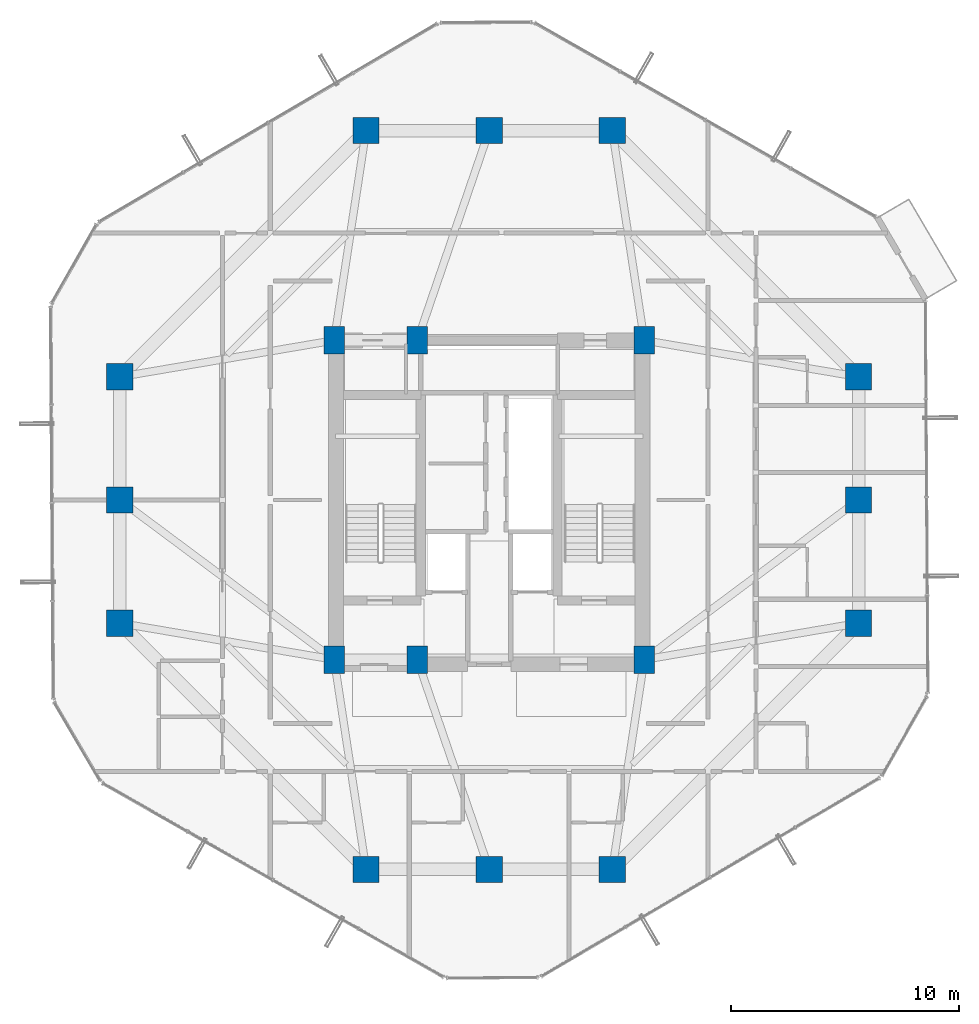
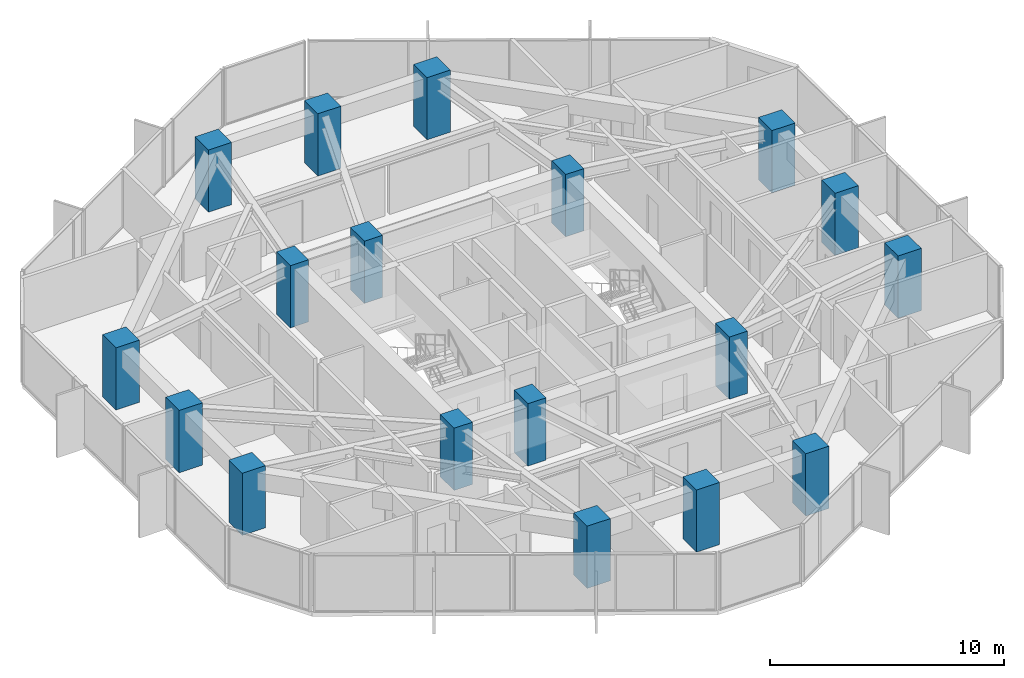
# One storey, part 1 of 30: 18 columns.
"""IFC4 building model written with IfcOpenShell, lengths in metres."""

from ifc_helpers import new_model, si_unit, direction, frame, origin, origin_2d, place, context, subcontext, project, spatial, rectangle, extrude, material, material_profile, profile_set, type_object, element, save


model = new_model("IFC4")

# Units and contexts
model_context = context("Model", 3, precision=1e-05, world=origin(), true_north=direction((0.0, 1.0)))
body_context = subcontext(model_context, "Body", "Model", "MODEL_VIEW")
ifc_project = project(units=[si_unit("LENGTHUNIT", "METRE"), si_unit("AREAUNIT", "SQUARE_METRE"), si_unit("VOLUMEUNIT", "CUBIC_METRE"), si_unit("PLANEANGLEUNIT", "RADIAN"), si_unit("MASSUNIT", "GRAM", prefix="KILO")], contexts=[model_context])

# Site, building, storey
site_placement = place(None, origin())
site = spatial("IfcSite", under=ifc_project, at=site_placement, CompositionType="ELEMENT")
building_placement = place(site_placement, origin())
building = spatial("IfcBuilding", under=site, at=building_placement, Name="Veraguas Prism Commons", CompositionType="ELEMENT")
storey_placement = place(building_placement, frame((0.0, 0.0, 129.5)))
storey = spatial("IfcBuildingStorey", under=building, at=storey_placement, Name="L36", CompositionType="ELEMENT", Elevation=129.5)

# Columns
ifc_material = material(Name="Concrete C60/75", Category="concrete")
ifc_material_profile_1 = material_profile(ifc_material, rectangle(XDim=1.14990234375, YDim=1.14990234375, at=origin_2d()), Name="RC1150X1150")
ifc_profile_set_1 = profile_set([ifc_material_profile_1], Name="Concrete C60/75")
column_type_1 = type_object("IfcColumnType", Name="Column Tube Z2 RC 1150x1150", PredefinedType="COLUMN", material=ifc_profile_set_1)
for number, where, z_axis, x_axis, name in (
    (1, (40.199951171875, 18.60009765625, 0.0), (0.0, 0.0, 1.0), (1.0, 0.0, 0.0), "Tower Perimeter Column L36-TB01"),
    (2, (40.199951171875, 24.0, 0.0), (0.0, 0.0, 1.0), (1.0, 0.0, 0.0), "Tower Perimeter Column L36-TB02"),
    (3, (40.199951171875, 29.39990234375, 0.0), (0.0, 0.0, 1.0), (1.0, 0.0, 0.0), "Tower Perimeter Column L36-TB03"),
    (4, (29.39990234375, 40.199951171875, 0.0), (0.0, 0.0, 1.0), (1.0, 0.0, 0.0), "Tower Perimeter Column L36-TB04"),
    (5, (24.0, 40.199951171875, 0.0), (0.0, 0.0, 1.0), (1.0, 0.0, 0.0), "Tower Perimeter Column L36-TB05"),
    (6, (18.60009765625, 40.199951171875, 0.0), (0.0, 0.0, 1.0), (1.0, 0.0, 0.0), "Tower Perimeter Column L36-TB06"),
    (7, (7.800048828125, 29.39990234375, 0.0), (0.0, 0.0, 1.0), (1.0, 0.0, 0.0), "Tower Perimeter Column L36-TB07"),
    (8, (7.800048828125, 24.0, 0.0), (0.0, 0.0, 1.0), (1.0, 0.0, 0.0), "Tower Perimeter Column L36-TB08"),
    (9, (7.800048828125, 18.60009765625, 0.0), (0.0, 0.0, 1.0), (1.0, 0.0, 0.0), "Tower Perimeter Column L36-TB09"),
    (10, (18.60009765625, 7.800048828125, 0.0), (0.0, 0.0, 1.0), (1.0, 0.0, 0.0), "Tower Perimeter Column L36-TB10"),
    (11, (24.0, 7.800048828125, 0.0), (0.0, 0.0, 1.0), (1.0, 0.0, 0.0), "Tower Perimeter Column L36-TB11"),
    (12, (29.39990234375, 7.800048828125, 0.0), (0.0, 0.0, 1.0), (1.0, 0.0, 0.0), "Tower Perimeter Column L36-TB12"),
):
    element("IfcColumn", number, at=place(storey_placement, frame(where, z_axis=z_axis, x_axis=x_axis)), inside=storey, type_object=column_type_1, Name=name, PredefinedType="COLUMN", context=body_context, shape_type="SweptSolid", body=[
        extrude(rectangle(XDim=1.14990234375, YDim=1.14990234375, at=origin_2d()), origin(), (0.0, 0.0, 1.0), 3.25),
    ])
ifc_material_profile_2 = material_profile(ifc_material, rectangle(XDim=0.89990234375, YDim=1.199951171875, at=origin_2d()), Name="RC900X1200")
ifc_profile_set_2 = profile_set([ifc_material_profile_2], Name="Concrete C60/75")
column_type_2 = type_object("IfcColumnType", Name="Pilaster Core Lower RC 900x1200", PredefinedType="PILASTER", material=ifc_profile_set_2)
for number, where, z_axis, x_axis, name in (
    (13, (17.199951171875, 17.0, 0.0), (0.0, 0.0, 1.0), (1.0, 0.0, 0.0), "Core Pilaster Column L36-CR1"),
    (14, (20.85009765625, 17.0, 0.0), (0.0, 0.0, 1.0), (1.0, 0.0, 0.0), "Core Pilaster Column L36-CR2"),
    (15, (30.800048828125, 17.0, 0.0), (0.0, 0.0, 1.0), (1.0, 0.0, 0.0), "Core Pilaster Column L36-CR3"),
    (16, (17.199951171875, 31.0, 0.0), (0.0, 0.0, 1.0), (1.0, 0.0, 0.0), "Core Pilaster Column L36-CR4"),
    (17, (20.85009765625, 31.0, 0.0), (0.0, 0.0, 1.0), (1.0, 0.0, 0.0), "Core Pilaster Column L36-CR5"),
    (18, (30.800048828125, 31.0, 0.0), (0.0, 0.0, 1.0), (1.0, 0.0, 0.0), "Core Pilaster Column L36-CR6"),
):
    element("IfcColumn", number, at=place(storey_placement, frame(where, z_axis=z_axis, x_axis=x_axis)), inside=storey, type_object=column_type_2, Name=name, PredefinedType="PILASTER", context=body_context, shape_type="SweptSolid", body=[
        extrude(rectangle(XDim=0.89990234375, YDim=1.199951171875, at=origin_2d()), origin(), (0.0, 0.0, 1.0), 3.25),
    ])

save(model, "model.ifc")
